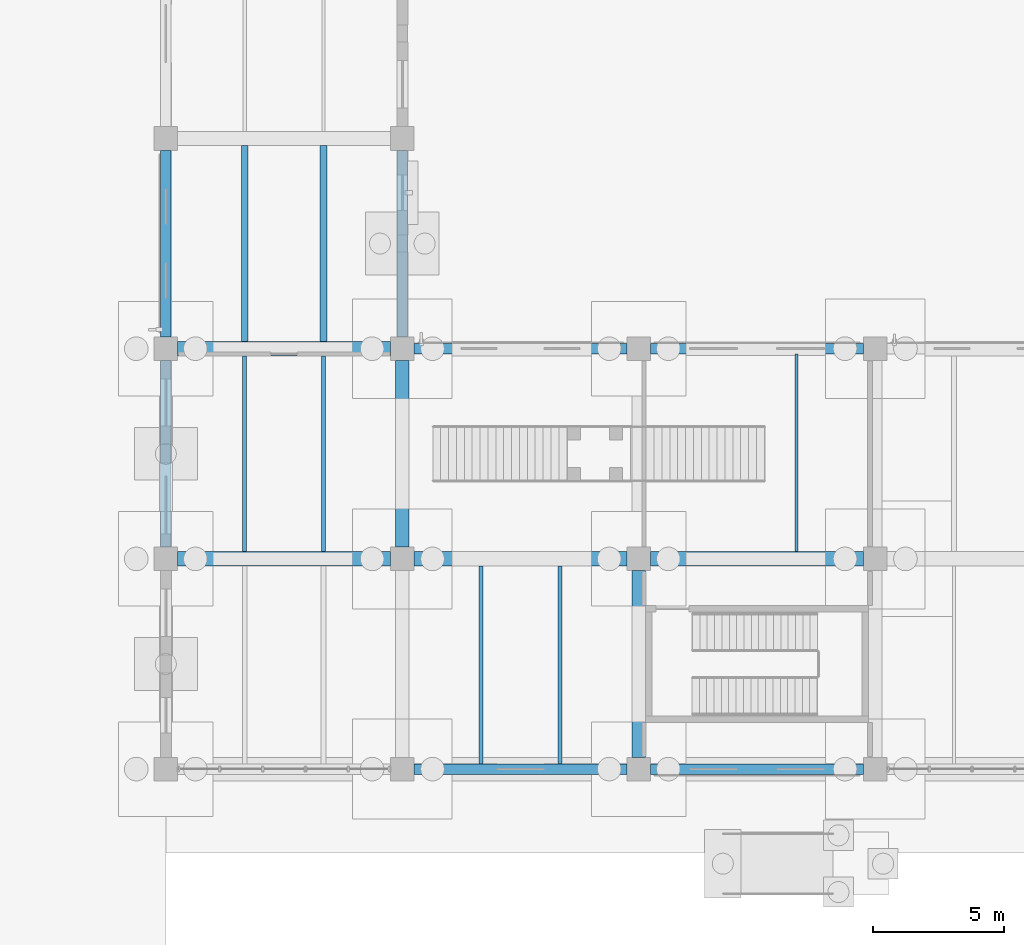
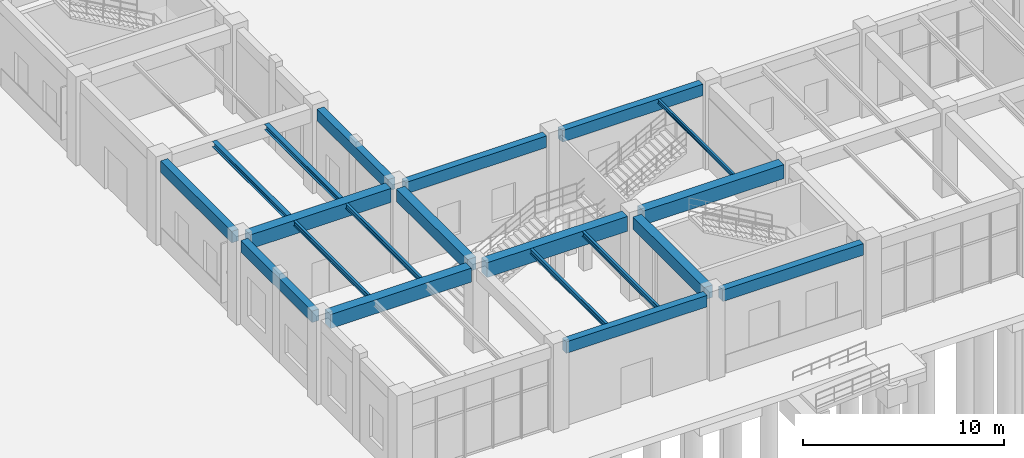
# One storey, part 24 of 121: 20 beams.
"""IFC4 building model written with IfcOpenShell, lengths in metres."""

from ifc_helpers import new_model, si_unit, derived_unit, direction, frame, origin, origin_2d, place, context, subcontext, project, spatial, rectangle, i_section, extrude, material, material_profile, profile_set, type_object, element, save


model = new_model("IFC4")

# Units and contexts
model_context = context("Model", 3, precision=1e-05, world=origin(), true_north=direction((0.0, 1.0)))
body_context = subcontext(model_context, "Body", "Model", "MODEL_VIEW")
ifc_project = project(units=[si_unit("LENGTHUNIT", "METRE"), si_unit("AREAUNIT", "SQUARE_METRE"), si_unit("VOLUMEUNIT", "CUBIC_METRE"), si_unit("PLANEANGLEUNIT", "RADIAN"), si_unit("MASSUNIT", "GRAM", prefix="KILO"), derived_unit("THERMALTRANSMITTANCEUNIT", [(si_unit("MASSUNIT", "GRAM", prefix="KILO"), 1), (si_unit("TIMEUNIT", "SECOND"), -3), (si_unit("THERMODYNAMICTEMPERATUREUNIT", "KELVIN"), -1)])], contexts=[model_context])

# Site, building, storey
site_placement = place(None, origin())
site = spatial("IfcSite", under=ifc_project, at=site_placement, CompositionType="ELEMENT")
building_placement = place(site_placement, origin())
building = spatial("IfcBuilding", under=site, at=building_placement, Name="Zhenchuan Archway Interchange", CompositionType="ELEMENT")
storey_placement = place(building_placement, origin())
storey = spatial("IfcBuildingStorey", under=building, at=storey_placement, Name="L00", CompositionType="ELEMENT", Elevation=0.0)

# Beams
ifc_material_1 = material(Name="Concrete C40", Category="concrete")
ifc_material_profile_1 = material_profile(ifc_material_1, rectangle(XDim=0.5, YDim=0.75, at=origin_2d()), Name="RC 500x750")
ifc_profile_set_1 = profile_set([ifc_material_profile_1], Name="Concrete C40")
beam_type_1 = type_object("IfcBeamType", Name="BM_RC_500x750", PredefinedType="BEAM", material=ifc_profile_set_1)
for number, where, z_axis, x_axis, name in (
    (1, (108.0, 16.449951171875, 4.705078125), (0.0, 1.0, 0.0), (-1.0, 0.0, 0.0), "Beam 13:C-D (L00)"),
    (2, (117.0, 8.449951171875, 4.705078125), (0.0, 1.0, 0.0), (-1.0, 0.0, 0.0), "Beam 14:B-C (L00)"),
):
    element("IfcBeam", number, at=place(storey_placement, frame(where, z_axis=z_axis, x_axis=x_axis)), inside=storey, type_object=beam_type_1, Name=name, PredefinedType="BEAM", context=body_context, shape_type="SweptSolid", body=[
        extrude(rectangle(XDim=0.5, YDim=0.75, at=origin_2d()), origin(), (0.0, 0.0, 1.0), 7.10009765625),
    ])
ifc_material_profile_2 = material_profile(ifc_material_1, rectangle(XDim=0.550048828125, YDim=0.85009765625, at=origin_2d()), Name="RC 550x850")
ifc_profile_set_2 = profile_set([ifc_material_profile_2], Name="Concrete C40")
beam_type_2 = type_object("IfcBeamType", Name="BM_RC_550x850", PredefinedType="BEAM", material=ifc_profile_set_2)
for number, where, z_axis, x_axis, name in (
    (3, (99.449951171875, 16.0, 4.655029296875), (1.0, 0.0, 0.0), (0.0, 1.0, 0.0), "Beam C:12-13 (L00)"),
    (4, (117.449951171875, 16.0, 4.655029296875), (1.0, 0.0, 0.0), (0.0, 1.0, 0.0), "Beam C:14-15 (L00)"),
    (5, (99.449951171875, 24.0, 4.655029296875), (1.0, 0.0, 0.0), (0.0, 1.0, 0.0), "Beam D:12-13 (L00)"),
):
    element("IfcBeam", number, at=place(storey_placement, frame(where, z_axis=z_axis, x_axis=x_axis)), inside=storey, type_object=beam_type_2, Name=name, PredefinedType="BEAM", context=body_context, shape_type="SweptSolid", body=[
        extrude(rectangle(XDim=0.550048828125, YDim=0.85009765625, at=origin_2d()), origin(), (0.0, 0.0, 1.0), 8.10009765625),
    ])
ifc_material_profile_3 = material_profile(ifc_material_1, rectangle(XDim=0.550048828125, YDim=0.89990234375, at=origin_2d()), Name="RC 550x900")
ifc_profile_set_3 = profile_set([ifc_material_profile_3], Name="Concrete C40")
beam_type_3 = type_object("IfcBeamType", Name="BM_RC_550x900", PredefinedType="BEAM", material=ifc_profile_set_3)
beam_1_placement = place(storey_placement, frame((108.449951171875, 16.0, 4.6298828125), z_axis=(1.0, 0.0, 0.0), x_axis=(0.0, 1.0, 0.0)))
element("IfcBeam", 6, at=beam_1_placement, inside=storey, type_object=beam_type_3, Name="Beam C:13-14 (L00)", PredefinedType="BEAM", context=body_context, shape_type="SweptSolid", body=[
    extrude(rectangle(XDim=0.550048828125, YDim=0.89990234375, at=origin_2d()), origin(), (0.0, 0.0, 1.0), 8.10009765625),
])
ifc_material_2 = material(Name="Steel Q355", Category="steel")
ifc_material_profile_4 = material_profile(ifc_material_2, i_section(OverallWidth=0.25, OverallDepth=0.340087890625, WebThickness=0.009033203125, FlangeThickness=0.013916015625, FilletRadius=0.01806640625, at=origin_2d()), Name="HM 340x250")
ifc_profile_set_4 = profile_set([ifc_material_profile_4], Name="Steel Q355")
beam_type_4 = type_object("IfcBeamType", Name="JST_STL_HM340", PredefinedType="JOIST", material=ifc_profile_set_4)
for number, where, z_axis, x_axis, name in (
    (7, (102.0, 24.27490234375, 4.909912109375), (0.0, 1.0, 0.0), (-1.0, 0.0, 0.0), "Secondary joist 12-13/D-E #1 (L00)"),
    (8, (105.0, 24.27490234375, 4.909912109375), (0.0, 1.0, 0.0), (-1.0, 0.0, 0.0), "Secondary joist 12-13/D-E #2 (L00)"),
):
    element("IfcBeam", number, at=place(storey_placement, frame(where, z_axis=z_axis, x_axis=x_axis)), inside=storey, type_object=beam_type_4, Name=name, PredefinedType="JOIST", context=body_context, shape_type="SweptSolid", body=[
        extrude(i_section(OverallWidth=0.25, OverallDepth=0.340087890625, WebThickness=0.009033203125, FlangeThickness=0.013916015625, FilletRadius=0.01806640625, at=origin_2d()), origin(), (0.0, 0.0, 1.0), 7.4501953125),
    ])
ifc_material_profile_5 = material_profile(ifc_material_2, i_section(OverallWidth=0.125, OverallDepth=0.25, WebThickness=0.006103515625, FlangeThickness=0.009033203125, FilletRadius=0.011962890625, at=origin_2d()), Name="HN 250x125")
ifc_profile_set_5 = profile_set([ifc_material_profile_5], Name="Steel Q355")
beam_type_5 = type_object("IfcBeamType", Name="JST_STL_HN250", PredefinedType="JOIST", material=ifc_profile_set_5)
beam_2_placement = place(storey_placement, frame((123.0, 16.27490234375, 4.955078125), z_axis=(0.0, 1.0, 0.0), x_axis=(-1.0, 0.0, 0.0)))
element("IfcBeam", 9, at=beam_2_placement, inside=storey, type_object=beam_type_5, Name="Secondary joist 14-15/C-D #2 (L00)", PredefinedType="JOIST", context=body_context, shape_type="SweptSolid", body=[
    extrude(i_section(OverallWidth=0.125, OverallDepth=0.25, WebThickness=0.006103515625, FlangeThickness=0.009033203125, FilletRadius=0.011962890625, at=origin_2d()), origin(), (0.0, 0.0, 1.0), 7.525146484375),
])
ifc_material_profile_6 = material_profile(ifc_material_2, i_section(OverallWidth=0.14990234375, OverallDepth=0.300048828125, WebThickness=0.006591796875, FlangeThickness=0.009033203125, FilletRadius=0.012939453125, at=origin_2d()), Name="HN 300x150")
ifc_profile_set_6 = profile_set([ifc_material_profile_6], Name="Steel Q355")
beam_type_6 = type_object("IfcBeamType", Name="JST_STL_HN300", PredefinedType="JOIST", material=ifc_profile_set_6)
for number, where, z_axis, x_axis, name in (
    (10, (102.0, 16.27490234375, 4.929931640625), (0.0, 1.0, 0.0), (-1.0, 0.0, 0.0), "Secondary joist 12-13/C-D #1 (L00)"),
    (11, (105.0, 16.27490234375, 4.929931640625), (0.0, 1.0, 0.0), (-1.0, 0.0, 0.0), "Secondary joist 12-13/C-D #2 (L00)"),
):
    element("IfcBeam", number, at=place(storey_placement, frame(where, z_axis=z_axis, x_axis=x_axis)), inside=storey, type_object=beam_type_6, Name=name, PredefinedType="JOIST", context=body_context, shape_type="SweptSolid", body=[
        extrude(i_section(OverallWidth=0.14990234375, OverallDepth=0.300048828125, WebThickness=0.006591796875, FlangeThickness=0.009033203125, FilletRadius=0.012939453125, at=origin_2d()), origin(), (0.0, 0.0, 1.0), 7.4501953125),
    ])
for number, where, z_axis, x_axis, name in (
    (12, (111.0, 8.199951171875, 4.929931640625), (0.0, 1.0, 0.0), (-1.0, 0.0, 0.0), "Secondary joist 13-14/B-C #1 (L00)"),
    (13, (114.0, 8.199951171875, 4.929931640625), (0.0, 1.0, 0.0), (-1.0, 0.0, 0.0), "Secondary joist 13-14/B-C #2 (L00)"),
):
    element("IfcBeam", number, at=place(storey_placement, frame(where, z_axis=z_axis, x_axis=x_axis)), inside=storey, type_object=beam_type_6, Name=name, PredefinedType="JOIST", context=body_context, shape_type="SweptSolid", body=[
        extrude(i_section(OverallWidth=0.14990234375, OverallDepth=0.300048828125, WebThickness=0.006591796875, FlangeThickness=0.009033203125, FilletRadius=0.012939453125, at=origin_2d()), origin(), (0.0, 0.0, 1.0), 7.525146484375),
    ])
ifc_material_profile_7 = material_profile(ifc_material_1, rectangle(XDim=0.39990234375, YDim=0.699951171875, at=origin_2d()), Name="RC 400x700")
ifc_profile_set_7 = profile_set([ifc_material_profile_7], Name="Concrete C40")
beam_type_7 = type_object("IfcBeamType", Name="SP_RC_400x700", PredefinedType="SPANDREL", material=ifc_profile_set_7)
for number, where, z_axis, x_axis, name in (
    (14, (108.449951171875, 8.0, 4.72998046875), (1.0, 0.0, 0.0), (0.0, 1.0, 0.0), "Beam B:13-14 (L00)"),
    (15, (117.449951171875, 8.0, 4.72998046875), (1.0, 0.0, 0.0), (0.0, 1.0, 0.0), "Beam B:14-15 (L00)"),
    (16, (108.449951171875, 24.0, 4.72998046875), (1.0, 0.0, 0.0), (0.0, 1.0, 0.0), "Beam D:13-14 (L00)"),
    (17, (117.449951171875, 24.0, 4.72998046875), (1.0, 0.0, 0.0), (0.0, 1.0, 0.0), "Beam D:14-15 (L00)"),
):
    element("IfcBeam", number, at=place(storey_placement, frame(where, z_axis=z_axis, x_axis=x_axis)), inside=storey, type_object=beam_type_7, Name=name, PredefinedType="SPANDREL", context=body_context, shape_type="SweptSolid", body=[
        extrude(rectangle(XDim=0.39990234375, YDim=0.699951171875, at=origin_2d()), origin(), (0.0, 0.0, 1.0), 8.10009765625),
    ])
for number, where, z_axis, x_axis, name in (
    (18, (99.0, 16.449951171875, 4.72998046875), (0.0, 1.0, 0.0), (-1.0, 0.0, 0.0), "Beam 12:C-D (L00)"),
    (19, (99.0, 24.449951171875, 4.72998046875), (0.0, 1.0, 0.0), (-1.0, 0.0, 0.0), "Beam 12:D-E (L00)"),
    (20, (108.0, 24.449951171875, 4.72998046875), (0.0, 1.0, 0.0), (-1.0, 0.0, 0.0), "Beam 13:D-E (L00)"),
):
    element("IfcBeam", number, at=place(storey_placement, frame(where, z_axis=z_axis, x_axis=x_axis)), inside=storey, type_object=beam_type_7, Name=name, PredefinedType="SPANDREL", context=body_context, shape_type="SweptSolid", body=[
        extrude(rectangle(XDim=0.39990234375, YDim=0.699951171875, at=origin_2d()), origin(), (0.0, 0.0, 1.0), 7.10009765625),
    ])

save(model, "model.ifc")
